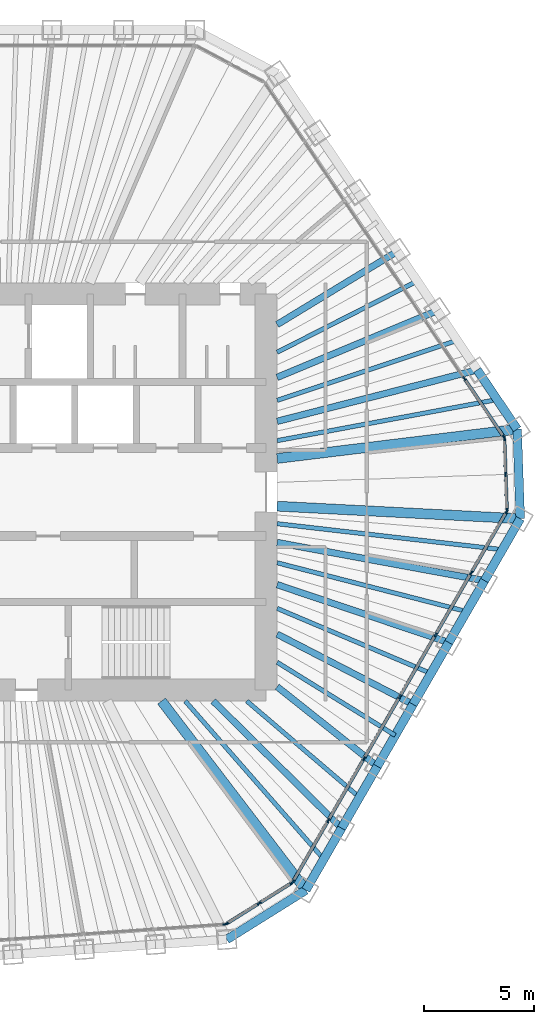
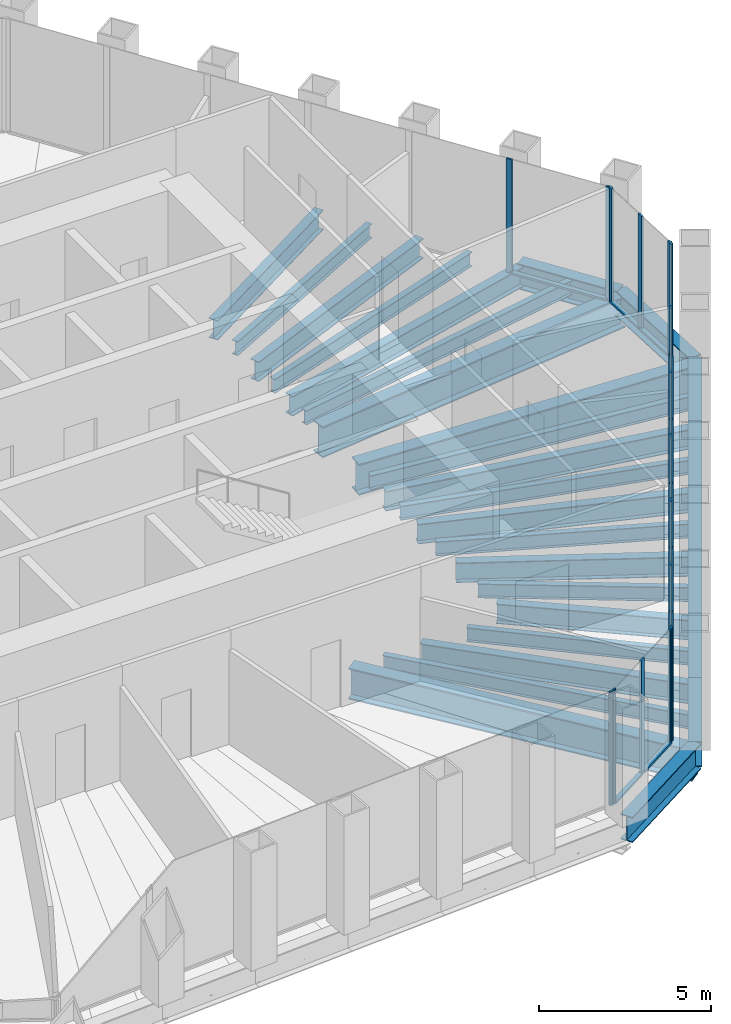
# One storey, part 5 of 14: 29 beams, 27 members, 5 elements without a shape of their own.
"""IFC4 building model written with IfcOpenShell, lengths in metres."""

import ifcopenshell
import ifcopenshell.guid

model = None  # the IFC model being written
_history = None  # IfcOwnerHistory: only IFC2X3 demands one
_inside = {}  # id of a spatial element -> (the spatial element, [elements in it])
_under = {}  # id of a project, library or spatial element -> (it, [spatial elements below it])
_declared = {}  # id of a project -> (the project, [libraries it declares])
_typed = {}  # id of a type object -> (the type object, [elements of that type])
_made_of = {}  # id of a material, layer set ... -> (it, [elements and type objects made of it])


def new_model(schema):
    """Start an empty IFC model of exactly this schema.

    Asked for "IFC4X3", IfcOpenShell would pick the latest addendum, in which some entities
    have other attributes; the version numbers below select the first issue.
    IFC2X3 requires an IfcOwnerHistory on every rooted entity: one is made here for all.
    """
    global model, _history
    if schema == "IFC4X3":
        model = ifcopenshell.file(schema_version=(4, 3, 0, 0))
    else:
        model = ifcopenshell.file(schema=schema)
    _inside.clear()
    _under.clear()
    _declared.clear()
    _typed.clear()
    _made_of.clear()
    _history = None
    if model.schema == "IFC2X3":
        org = make("IfcOrganization", Name="unknown")
        user = make(
            "IfcPersonAndOrganization",
            ThePerson=make("IfcPerson", FamilyName="unknown"),
            TheOrganization=org,
        )
        app = make(
            "IfcApplication",
            ApplicationDeveloper=org,
            Version="unknown",
            ApplicationFullName="unknown",
            ApplicationIdentifier="unknown",
        )
        _history = make(
            "IfcOwnerHistory",
            OwningUser=user,
            OwningApplication=app,
            ChangeAction="ADDED",
            CreationDate=0,
        )
    return model


def make(cls, **values):
    """One entity of the class cls with the attributes given. An attribute that is None is left unset."""
    return model.create_entity(
        cls, **{name: value for name, value in values.items() if value is not None}
    )


def rooted(cls, **values):
    """An entity with a GlobalId (a new one), such as an element, a storey or a relation."""
    return make(cls, GlobalId=ifcopenshell.guid.new(), OwnerHistory=_history, **values)


def si_unit(unit_type, name, prefix=None):
    """IfcSIUnit, for example si_unit("LENGTHUNIT", "METRE", prefix="MILLI")."""
    return make("IfcSIUnit", UnitType=unit_type, Prefix=prefix, Name=name)


def assignment(units):
    """IfcUnitAssignment: the units of a project."""
    return None if units is None else make("IfcUnitAssignment", Units=units)


def point(xyz):
    """IfcCartesianPoint."""
    return None if xyz is None else make("IfcCartesianPoint", Coordinates=xyz)


def direction(xyz):
    """IfcDirection."""
    return None if xyz is None else make("IfcDirection", DirectionRatios=xyz)


def frame(location, z_axis=None, x_axis=None):
    """IfcAxis2Placement3D, a coordinate frame: its origin and axes. An axis left out is left unset."""
    return make(
        "IfcAxis2Placement3D",
        Location=point(location),
        Axis=direction(z_axis),
        RefDirection=direction(x_axis),
    )


def frame_2d(location, x_axis=None):
    """IfcAxis2Placement2D, a coordinate frame in the plane: its origin and x axis."""
    return make(
        "IfcAxis2Placement2D", Location=point(location), RefDirection=direction(x_axis)
    )


def origin():
    """The frame at (0, 0, 0) with its axes left unset."""
    return frame((0.0, 0.0, 0.0))


def origin_2d():
    """The frame at (0, 0) in the plane with its x axis left unset."""
    return frame_2d((0.0, 0.0))


def place(relative_to, where):
    """IfcLocalPlacement: puts the frame where relative to a parent placement (None: the world)."""
    return make(
        "IfcLocalPlacement", PlacementRelTo=relative_to, RelativePlacement=where
    )


def context(
    kind, dimensions, precision=None, world=None, true_north=None, identifier=None
):
    """IfcGeometricRepresentationContext, for example the 3D "Model" context."""
    return make(
        "IfcGeometricRepresentationContext",
        ContextIdentifier=identifier,
        ContextType=kind,
        CoordinateSpaceDimension=dimensions,
        Precision=precision,
        WorldCoordinateSystem=world,
        TrueNorth=true_north,
    )


def subcontext(parent, identifier, kind, view, scale=None):
    """IfcGeometricRepresentationSubContext, for example "Body" below "Model"."""
    return make(
        "IfcGeometricRepresentationSubContext",
        ContextIdentifier=identifier,
        ContextType=kind,
        ParentContext=parent,
        TargetScale=scale,
        TargetView=view,
    )


def project(units=None, contexts=None):
    """IfcProject with its units and contexts."""
    return rooted(
        "IfcProject",
        Name="project",
        RepresentationContexts=contexts,
        UnitsInContext=assignment(units),
    )


def spatial(cls, under=None, at=None, **own):
    """A site, building, storey or space (cls), placed at a placement, below another one or the project."""
    s = rooted(cls, ObjectPlacement=at, **own)
    if under is not None:
        _under.setdefault(under.id(), (under, []))[1].append(s)
    return s


def profile(cls, at=None, kind="AREA", **sizes):
    """A parametric profile (cls). Its sizes go by their IFC names, for example OverallWidth=200.0."""
    return make(cls, ProfileType=kind, Position=at, **sizes)


def rectangle(**sizes):
    """IfcRectangleProfileDef."""
    return profile("IfcRectangleProfileDef", **sizes)


def i_section(**sizes):
    """IfcIShapeProfileDef."""
    return profile("IfcIShapeProfileDef", **sizes)


def extrude(swept, where, along, depth):
    """IfcExtrudedAreaSolid: the profile swept, set in the frame where, extruded along a direction by depth."""
    return make(
        "IfcExtrudedAreaSolid",
        SweptArea=swept,
        Position=where,
        ExtrudedDirection=direction(along),
        Depth=depth,
    )


def shape(context_of_items, identifier, shape_type, items):
    """IfcShapeRepresentation: the items that make up one representation, for example the "Body"."""
    return make(
        "IfcShapeRepresentation",
        ContextOfItems=context_of_items,
        RepresentationIdentifier=identifier,
        RepresentationType=shape_type,
        Items=items,
    )


def material(Name=None, Category=None):
    """IfcMaterial."""
    return make("IfcMaterial", Name=Name, Category=Category)


def material_profile(
    of_material, cross_section, Name=None, Category=None, Priority=None
):
    """IfcMaterialProfile: a cross section and its material."""
    return make(
        "IfcMaterialProfile",
        Name=Name,
        Material=of_material,
        Profile=cross_section,
        Priority=Priority,
        Category=Category,
    )


def profile_set(profiles, Name=None, composite=None):
    """IfcMaterialProfileSet."""
    return make(
        "IfcMaterialProfileSet",
        Name=Name,
        MaterialProfiles=profiles,
        CompositeProfile=composite,
    )


def made_of(thing, what):
    """Note that an element or type object is made of a material, layer set ...; save() writes the relation."""
    if what is not None:
        _made_of.setdefault(what.id(), (what, []))[1].append(thing)
    return thing


def type_object(cls, material=None, **own):
    """A type object (cls), such as IfcWallType, which elements share."""
    return made_of(rooted(cls, **own), material)


def element(
    cls,
    number,
    at=None,
    inside=None,
    cuts=None,
    type_object=None,
    material=None,
    context=None,
    identifier="Body",
    shape_type=None,
    held_by="IfcProductDefinitionShape",
    body=None,
    shapes=None,
    **own,
):
    """One element of the class cls, such as IfcWall. Its Tag is "e" and its number.

    at: its placement. inside: the storey or other place that contains it. cuts: it is an
    opening in that element (IfcRelVoidsElement). A single representation is given by context,
    identifier, shape_type and body (its items); several are given by shapes. held_by: the class
    of the entity that holds the representations. save() writes the other relations.
    """
    e = rooted(cls, Tag="e%d" % number, ObjectPlacement=at, **own)
    if body is not None:
        shapes = [shape(context, identifier, shape_type, body)]
    if shapes is not None:
        e.Representation = make(held_by, Representations=shapes)
    if inside is not None:
        _inside.setdefault(inside.id(), (inside, []))[1].append(e)
    if cuts is not None:
        rooted(
            "IfcRelVoidsElement", RelatingBuildingElement=cuts, RelatedOpeningElement=e
        )
    if type_object is not None:
        _typed.setdefault(type_object.id(), (type_object, []))[1].append(e)
    return made_of(e, material)


def aggregate(whole, parts):
    """IfcRelAggregates: a whole, such as a stair, and the parts it consists of."""
    return rooted("IfcRelAggregates", RelatingObject=whole, RelatedObjects=parts)


def save(model, path):
    """Write the relations noted so far, then the file.

    IfcRelAggregates (storeys below a building ...), IfcRelContainedInSpatialStructure (elements
    in a storey), IfcRelDefinesByType, IfcRelAssociatesMaterial and IfcRelDeclares: one each for
    every whole, place, type object, material and project.
    """
    for whole, parts in _under.values():
        aggregate(whole, parts)
    for where, things in _inside.values():
        rooted(
            "IfcRelContainedInSpatialStructure",
            RelatedElements=things,
            RelatingStructure=where,
        )
    for kind, things in _typed.values():
        rooted("IfcRelDefinesByType", RelatedObjects=things, RelatingType=kind)
    for what, things in _made_of.values():
        rooted("IfcRelAssociatesMaterial", RelatedObjects=things, RelatingMaterial=what)
    for by, libraries in _declared.values():
        rooted("IfcRelDeclares", RelatingContext=by, RelatedDefinitions=libraries)
    model.write(path)


model = new_model("IFC4")

# Units and contexts
model_context = context("Model", 3, precision=1e-05, world=origin(), true_north=direction((0.0, 1.0)))
body_context = subcontext(model_context, "Body", "Model", "MODEL_VIEW")
ifc_project = project(units=[si_unit("LENGTHUNIT", "METRE"), si_unit("AREAUNIT", "SQUARE_METRE"), si_unit("VOLUMEUNIT", "CUBIC_METRE"), si_unit("PLANEANGLEUNIT", "RADIAN"), si_unit("MASSUNIT", "GRAM", prefix="KILO")], contexts=[model_context])

# Site, building, storey
site_placement = place(None, origin())
site = spatial("IfcSite", under=ifc_project, at=site_placement, CompositionType="ELEMENT")
building_placement = place(site_placement, origin())
building = spatial("IfcBuilding", under=site, at=building_placement, Name="Qingtian Harvest Tower", CompositionType="ELEMENT")
storey_placement = place(building_placement, frame((0.0, 0.0, 283.0)))
storey = spatial("IfcBuildingStorey", under=building, at=storey_placement, Name="L62", CompositionType="ELEMENT", Elevation=283.0)

# Beams
ifc_material_1 = material(Name="Steel SM570MC", Category="steel")
ifc_material_profile_1 = material_profile(ifc_material_1, i_section(OverallWidth=0.449951171875, OverallDepth=1.10009765625, WebThickness=0.02197265625, FlangeThickness=0.044921875, at=origin_2d()), Name="H1100x450x22x45")
ifc_profile_set_1 = profile_set([ifc_material_profile_1], Name="Steel SM570MC")
beam_type_1 = type_object("IfcBeamType", Name="Corner floor beam FB8 H1100x450x22x45", PredefinedType="BEAM", material=ifc_profile_set_1)
beam_1_placement = place(storey_placement, frame((23.405517578125, 2.85400390625, -0.719970703125), z_axis=(-0.99264704984, -0.12104476215, 0.0), x_axis=(0.12104476215, -0.99264704984, 0.0)))
element("IfcBeam", 1, at=beam_1_placement, inside=storey, type_object=beam_type_1, Name="Floor beam FB8 NE6", PredefinedType="BEAM", context=body_context, shape_type="SweptSolid", body=[
    extrude(i_section(OverallWidth=0.449951171875, OverallDepth=1.10009765625, WebThickness=0.02197265625, FlangeThickness=0.044921875, at=origin_2d()), origin(), (0.0, 0.0, 1.0), 10.986328125),
])
beam_2_placement = place(storey_placement, frame((23.547607421875, -1.21435546875, -0.719970703125), z_axis=(-0.998672453152, 0.051510497131, 0.0), x_axis=(-0.051510497131, -0.998672453152, 0.0)))
element("IfcBeam", 2, at=beam_2_placement, inside=storey, type_object=beam_type_1, Name="Floor beam FB8 SE0", PredefinedType="BEAM", context=body_context, shape_type="SweptSolid", body=[
    extrude(i_section(OverallWidth=0.449951171875, OverallDepth=1.10009765625, WebThickness=0.02197265625, FlangeThickness=0.044921875, at=origin_2d()), origin(), (0.0, 0.0, 1.0), 11.062255859375),
])
beam_3_placement = place(storey_placement, frame((13.803466796875, -18.091552734375, -0.719970703125), z_axis=(-0.60658352266, 0.795019767073, 0.0), x_axis=(-0.795019767073, -0.60658352266, 0.0)))
element("IfcBeam", 3, at=beam_3_placement, inside=storey, type_object=beam_type_1, Name="Floor beam FB8 SE6", PredefinedType="BEAM", context=body_context, shape_type="SweptSolid", body=[
    extrude(i_section(OverallWidth=0.449951171875, OverallDepth=1.10009765625, WebThickness=0.02197265625, FlangeThickness=0.044921875, at=origin_2d()), origin(), (0.0, 0.0, 1.0), 10.806640625),
])
ifc_material_2 = material(Name="Steel SN490B", Category="steel")
ifc_material_profile_2 = material_profile(ifc_material_2, i_section(OverallWidth=0.300048828125, OverallDepth=0.699951171875, WebThickness=0.012939453125, FlangeThickness=0.02392578125, at=origin_2d()), Name="H700x300x13x24")
ifc_profile_set_2 = profile_set([ifc_material_profile_2], Name="Steel SN490B")
beam_type_2 = type_object("IfcBeamType", Name="Floor beam FB4 H700x300x13x24", PredefinedType="BEAM", material=ifc_profile_set_2)
beam_4_placement = place(storey_placement, frame((17.956787109375, 10.93212890625, -0.52001953125), z_axis=(-0.854163869478, -0.520003926983, 0.0), x_axis=(0.520003926983, -0.854163869478, 0.0)))
element("IfcBeam", 4, at=beam_4_placement, inside=storey, type_object=beam_type_2, Name="Floor beam FB4 NE3", PredefinedType="BEAM", context=body_context, shape_type="SweptSolid", body=[
    extrude(i_section(OverallWidth=0.300048828125, OverallDepth=0.699951171875, WebThickness=0.012939453125, FlangeThickness=0.02392578125, at=origin_2d()), origin(), (0.0, 0.0, 1.0), 6.388427734375),
])
beam_5_placement = place(storey_placement, frame((19.77294921875, 8.2392578125, -0.52001953125), z_axis=(-0.923071422518, -0.38462858569, 0.0), x_axis=(0.38462858569, -0.923071422518, 0.0)))
element("IfcBeam", 5, at=beam_5_placement, inside=storey, type_object=beam_type_2, Name="Floor beam FB4 NE4", PredefinedType="BEAM", context=body_context, shape_type="SweptSolid", body=[
    extrude(i_section(OverallWidth=0.300048828125, OverallDepth=0.699951171875, WebThickness=0.012939453125, FlangeThickness=0.02392578125, at=origin_2d()), origin(), (0.0, 0.0, 1.0), 7.879150390625),
])
beam_6_placement = place(storey_placement, frame((21.58935546875, 5.546630859375, -0.52001953125), z_axis=(-0.968545797703, -0.248835362746, 0.0), x_axis=(0.248835362746, -0.968545797703, 0.0)))
element("IfcBeam", 6, at=beam_6_placement, inside=storey, type_object=beam_type_2, Name="Floor beam FB4 NE5", PredefinedType="BEAM", context=body_context, shape_type="SweptSolid", body=[
    extrude(i_section(OverallWidth=0.300048828125, OverallDepth=0.699951171875, WebThickness=0.012939453125, FlangeThickness=0.02392578125, at=origin_2d()), origin(), (0.0, 0.0, 1.0), 9.384521484375),
])
beam_7_placement = place(storey_placement, frame((21.923583984375, -4.027099609375, -0.52001953125), z_axis=(-0.983545410638, 0.180661078303, 0.0), x_axis=(-0.180661078303, -0.983545410638, 0.0)))
element("IfcBeam", 7, at=beam_7_placement, inside=storey, type_object=beam_type_2, Name="Floor beam FB4 SE1", PredefinedType="BEAM", context=body_context, shape_type="SweptSolid", body=[
    extrude(i_section(OverallWidth=0.300048828125, OverallDepth=0.699951171875, WebThickness=0.012939453125, FlangeThickness=0.02392578125, at=origin_2d()), origin(), (0.0, 0.0, 1.0), 9.581298828125),
])
beam_8_placement = place(storey_placement, frame((20.299560546875, -6.840087890625, -0.52001953125), z_axis=(-0.947645968799, 0.319322905253, 0.0), x_axis=(-0.319322905253, -0.947645968799, 0.0)))
element("IfcBeam", 8, at=beam_8_placement, inside=storey, type_object=beam_type_2, Name="Floor beam FB4 SE2", PredefinedType="BEAM", context=body_context, shape_type="SweptSolid", body=[
    extrude(i_section(OverallWidth=0.300048828125, OverallDepth=0.699951171875, WebThickness=0.012939453125, FlangeThickness=0.02392578125, at=origin_2d()), origin(), (0.0, 0.0, 1.0), 8.23046875),
])
beam_9_placement = place(storey_placement, frame((18.675537109375, -9.65283203125, -0.52001953125), z_axis=(-0.888355479692, 0.459156336884, 0.0), x_axis=(-0.459156336884, -0.888355479692, 0.0)))
element("IfcBeam", 9, at=beam_9_placement, inside=storey, type_object=beam_type_2, Name="Floor beam FB4 SE3", PredefinedType="BEAM", context=body_context, shape_type="SweptSolid", body=[
    extrude(i_section(OverallWidth=0.300048828125, OverallDepth=0.699951171875, WebThickness=0.012939453125, FlangeThickness=0.02392578125, at=origin_2d()), origin(), (0.0, 0.0, 1.0), 6.95166015625),
])
beam_10_placement = place(storey_placement, frame((17.051513671875, -12.4658203125, -0.52001953125), z_axis=(-0.783003151269, 0.622017736968, 0.0), x_axis=(-0.622017736968, -0.783003151269, 0.0)))
element("IfcBeam", 10, at=beam_10_placement, inside=storey, type_object=beam_type_2, Name="Floor beam FB4 SE4", PredefinedType="BEAM", context=body_context, shape_type="SweptSolid", body=[
    extrude(i_section(OverallWidth=0.300048828125, OverallDepth=0.699951171875, WebThickness=0.012939453125, FlangeThickness=0.02392578125, at=origin_2d()), origin(), (0.0, 0.0, 1.0), 5.81298828125),
])
beam_11_placement = place(storey_placement, frame((15.427490234375, -15.278564453125, -0.52001953125), z_axis=(-0.710532187344, 0.703664700513, 0.0), x_axis=(-0.703664700513, -0.710532187344, 0.0)))
element("IfcBeam", 11, at=beam_11_placement, inside=storey, type_object=beam_type_2, Name="Floor beam FB4 SE5", PredefinedType="BEAM", context=body_context, shape_type="SweptSolid", body=[
    extrude(i_section(OverallWidth=0.300048828125, OverallDepth=0.699951171875, WebThickness=0.012939453125, FlangeThickness=0.02392578125, at=origin_2d()), origin(), (0.0, 0.0, 1.0), 8.212158203125),
])
ifc_material_3 = material(Name="Steel SN490B", Category="steel")
ifc_material_profile_3 = material_profile(ifc_material_3, i_section(OverallWidth=0.199951171875, OverallDepth=0.5, WebThickness=0.010009765625, FlangeThickness=0.01611328125, at=origin_2d()), Name="H500x200x10x16")
ifc_profile_set_3 = profile_set([ifc_material_profile_3], Name="Steel SN490B")
beam_type_3 = type_object("IfcBeamType", Name="Floor joist J3 H500x200x10x16", PredefinedType="JOIST", material=ifc_profile_set_3)
beam_12_placement = place(storey_placement, frame((18.864990234375, 9.585693359375, -0.419921875), z_axis=(-0.891515522375, -0.452990147094, 0.0), x_axis=(0.452990147094, -0.891515522375, 0.0)))
element("IfcBeam", 12, at=beam_12_placement, inside=storey, type_object=beam_type_3, Name="Floor joist J3 NE3", PredefinedType="JOIST", context=body_context, shape_type="SweptSolid", body=[
    extrude(i_section(OverallWidth=0.199951171875, OverallDepth=0.5, WebThickness=0.010009765625, FlangeThickness=0.01611328125, at=origin_2d()), origin(), (0.0, 0.0, 1.0), 7.139404296875),
])
beam_13_placement = place(storey_placement, frame((20.68115234375, 6.89306640625, -0.419921875), z_axis=(-0.94869179092, -0.316202286267, 0.0), x_axis=(0.316202286267, -0.94869179092, 0.0)))
element("IfcBeam", 13, at=beam_13_placement, inside=storey, type_object=beam_type_3, Name="Floor joist J3 NE4", PredefinedType="JOIST", context=body_context, shape_type="SweptSolid", body=[
    extrude(i_section(OverallWidth=0.199951171875, OverallDepth=0.5, WebThickness=0.010009765625, FlangeThickness=0.01611328125, at=origin_2d()), origin(), (0.0, 0.0, 1.0), 8.62353515625),
])
beam_14_placement = place(storey_placement, frame((22.49755859375, 4.2001953125, -0.419921875), z_axis=(-0.983015918388, -0.183520310038, 0.0), x_axis=(0.183520310038, -0.983015918388, 0.0)))
element("IfcBeam", 14, at=beam_14_placement, inside=storey, type_object=beam_type_3, Name="Floor joist J3 NE5", PredefinedType="JOIST", context=body_context, shape_type="SweptSolid", body=[
    extrude(i_section(OverallWidth=0.199951171875, OverallDepth=0.5, WebThickness=0.010009765625, FlangeThickness=0.01611328125, at=origin_2d()), origin(), (0.0, 0.0, 1.0), 10.17041015625),
])
beam_15_placement = place(storey_placement, frame((22.735595703125, -2.62060546875, -0.419921875), z_axis=(-0.993423767351, 0.114495495381, 0.0), x_axis=(-0.114495495381, -0.993423767351, 0.0)))
element("IfcBeam", 15, at=beam_15_placement, inside=storey, type_object=beam_type_3, Name="Floor joist J3 SE0", PredefinedType="JOIST", context=body_context, shape_type="SweptSolid", body=[
    extrude(i_section(OverallWidth=0.199951171875, OverallDepth=0.5, WebThickness=0.010009765625, FlangeThickness=0.01611328125, at=origin_2d()), origin(), (0.0, 0.0, 1.0), 10.303466796875),
])
beam_16_placement = place(storey_placement, frame((21.111572265625, -5.43359375, -0.419921875), z_axis=(-0.968434631662, 0.249267655738, 0.0), x_axis=(-0.249267655738, -0.968434631662, 0.0)))
element("IfcBeam", 16, at=beam_16_placement, inside=storey, type_object=beam_type_3, Name="Floor joist J3 SE1", PredefinedType="JOIST", context=body_context, shape_type="SweptSolid", body=[
    extrude(i_section(OverallWidth=0.199951171875, OverallDepth=0.5, WebThickness=0.010009765625, FlangeThickness=0.01611328125, at=origin_2d()), origin(), (0.0, 0.0, 1.0), 8.892333984375),
])
beam_17_placement = place(storey_placement, frame((19.487548828125, -8.246337890625, -0.419921875), z_axis=(-0.920942823677, 0.389697723265, 0.0), x_axis=(-0.389697723265, -0.920942823677, 0.0)))
element("IfcBeam", 17, at=beam_17_placement, inside=storey, type_object=beam_type_3, Name="Floor joist J3 SE2", PredefinedType="JOIST", context=body_context, shape_type="SweptSolid", body=[
    extrude(i_section(OverallWidth=0.199951171875, OverallDepth=0.5, WebThickness=0.010009765625, FlangeThickness=0.01611328125, at=origin_2d()), origin(), (0.0, 0.0, 1.0), 7.58740234375),
])
beam_18_placement = place(storey_placement, frame((17.863525390625, -11.059326171875, -0.419921875), z_axis=(-0.850245350939, 0.52638659102, 0.0), x_axis=(-0.52638659102, -0.850245350939, 0.0)))
element("IfcBeam", 18, at=beam_18_placement, inside=storey, type_object=beam_type_3, Name="Floor joist J3 SE3", PredefinedType="JOIST", context=body_context, shape_type="SweptSolid", body=[
    extrude(i_section(OverallWidth=0.199951171875, OverallDepth=0.5, WebThickness=0.010009765625, FlangeThickness=0.01611328125, at=origin_2d()), origin(), (0.0, 0.0, 1.0), 6.30810546875),
])
beam_19_placement = place(storey_placement, frame((16.239501953125, -13.8720703125, -0.419921875), z_axis=(-0.760351288112, 0.649512061987, 0.0), x_axis=(-0.649512061987, -0.760351288112, 0.0)))
element("IfcBeam", 19, at=beam_19_placement, inside=storey, type_object=beam_type_3, Name="Floor joist J3 SE4", PredefinedType="JOIST", context=body_context, shape_type="SweptSolid", body=[
    extrude(i_section(OverallWidth=0.199951171875, OverallDepth=0.5, WebThickness=0.010009765625, FlangeThickness=0.01611328125, at=origin_2d()), origin(), (0.0, 0.0, 1.0), 6.731201171875),
])
beam_20_placement = place(storey_placement, frame((14.615478515625, -16.68505859375, -0.419921875), z_axis=(-0.658906232771, 0.752225083612, 0.0), x_axis=(-0.752225083612, -0.658906232771, 0.0)))
element("IfcBeam", 20, at=beam_20_placement, inside=storey, type_object=beam_type_3, Name="Floor joist J3 SE5", PredefinedType="JOIST", context=body_context, shape_type="SweptSolid", body=[
    extrude(i_section(OverallWidth=0.199951171875, OverallDepth=0.5, WebThickness=0.010009765625, FlangeThickness=0.01611328125, at=origin_2d()), origin(), (0.0, 0.0, 1.0), 9.5517578125),
])

# Curtain wall, members
ifc_material_4 = material(Name="Bronze-anodised aluminium curtain wall", Category="aluminium")
curtain_wall_type = type_object("IfcCurtainWallType", Name="Curtain wall CW5 upper office", PredefinedType="USERDEFINED", material=ifc_material_4)
curtain_wall_1_placement = place(storey_placement, origin())
curtain_wall_1 = element("IfcCurtainWall", 21, at=curtain_wall_1_placement, inside=storey, type_object=curtain_wall_type, Name="Curtain wall CW5 L62 NE0-5", ObjectType="RECESSED CURTAIN WALL", PredefinedType="USERDEFINED")
ifc_material_5 = material(Name="Bronze-anodised aluminium mullion", Category="aluminium")
ifc_material_profile_4 = material_profile(ifc_material_5, rectangle(XDim=0.06494140625, YDim=0.199951171875, at=origin_2d()), Name="AL 65x200")
ifc_profile_set_4 = profile_set([ifc_material_profile_4], Name="Bronze-anodised aluminium mullion")
member_type_1 = type_object("IfcMemberType", Name="Mullion CWM 65x200", PredefinedType="MULLION", material=ifc_profile_set_4)
member_1_placement = place(storey_placement, frame((21.009033203125, 5.1552734375, 0.0), z_axis=(0.0, 0.0, 1.0), x_axis=(0.829037572555, 0.559192903471, 0.0)))
member_1 = element("IfcMember", 22, at=member_1_placement, type_object=member_type_1, Name="CW5 mullion 6", PredefinedType="MULLION", context=body_context, shape_type="SweptSolid", body=[
    extrude(rectangle(XDim=0.06494140625, YDim=0.199951171875, at=origin_2d()), origin(), (0.0, 0.0, 1.0), 4.030029296875),
])
member_2_placement = place(storey_placement, frame((22.80712890625, 2.489501953125, 0.0), z_axis=(0.0, 0.0, 1.0), x_axis=(0.829037572555, 0.559192903471, 0.0)))
member_2 = element("IfcMember", 23, at=member_2_placement, type_object=member_type_1, Name="CW5 mullion 7", PredefinedType="MULLION", context=body_context, shape_type="SweptSolid", body=[
    extrude(rectangle(XDim=0.06494140625, YDim=0.199951171875, at=origin_2d()), origin(), (0.0, 0.0, 1.0), 4.030029296875),
])

curtain_wall_2_placement = place(storey_placement, origin())
curtain_wall_2 = element("IfcCurtainWall", 24, at=curtain_wall_2_placement, inside=storey, type_object=curtain_wall_type, Name="Curtain wall CW5 L62 NEC", ObjectType="RECESSED CURTAIN WALL", PredefinedType="USERDEFINED")
member_3_placement = place(storey_placement, frame((22.826416015625, 2.429931640625, 0.0), z_axis=(0.0, 0.0, 1.0), x_axis=(0.999390827019, 0.034899496703, 0.0)))
member_3 = element("IfcMember", 25, at=member_3_placement, type_object=member_type_1, Name="CW5 mullion 1", PredefinedType="MULLION", context=body_context, shape_type="SweptSolid", body=[
    extrude(rectangle(XDim=0.06494140625, YDim=0.199951171875, at=origin_2d()), origin(), (0.0, 0.0, 1.0), 4.030029296875),
])
member_4_placement = place(storey_placement, frame((22.88330078125, 0.799072265625, 0.0), z_axis=(0.0, 0.0, 1.0), x_axis=(0.999390827019, 0.034899496703, 0.0)))
member_4 = element("IfcMember", 26, at=member_4_placement, type_object=member_type_1, Name="CW5 mullion 2", PredefinedType="MULLION", context=body_context, shape_type="SweptSolid", body=[
    extrude(rectangle(XDim=0.06494140625, YDim=0.199951171875, at=origin_2d()), origin(), (0.0, 0.0, 1.0), 4.030029296875),
])
member_5_placement = place(storey_placement, frame((22.9404296875, -0.831787109375, 0.0), z_axis=(0.0, 0.0, 1.0), x_axis=(0.999390827019, 0.034899496703, 0.0)))
member_5 = element("IfcMember", 27, at=member_5_placement, type_object=member_type_1, Name="CW5 mullion 3", PredefinedType="MULLION", context=body_context, shape_type="SweptSolid", body=[
    extrude(rectangle(XDim=0.06494140625, YDim=0.199951171875, at=origin_2d()), origin(), (0.0, 0.0, 1.0), 4.030029296875),
])

curtain_wall_3_placement = place(storey_placement, origin())
curtain_wall_3 = element("IfcCurtainWall", 28, at=curtain_wall_3_placement, inside=storey, type_object=curtain_wall_type, Name="Curtain wall CW5 L62 SE0-5", ObjectType="RECESSED CURTAIN WALL", PredefinedType="USERDEFINED")
member_6_placement = place(storey_placement, frame((22.92529296875, -0.892333984375, 0.0), z_axis=(0.0, 0.0, 1.0), x_axis=(0.866025403784, -0.5, 0.0)))
member_6 = element("IfcMember", 29, at=member_6_placement, type_object=member_type_1, Name="CW5 mullion 1", PredefinedType="MULLION", context=body_context, shape_type="SweptSolid", body=[
    extrude(rectangle(XDim=0.06494140625, YDim=0.199951171875, at=origin_2d()), origin(), (0.0, 0.0, 1.0), 4.030029296875),
])
member_7_placement = place(storey_placement, frame((21.3173828125, -3.67724609375, 0.0), z_axis=(0.0, 0.0, 1.0), x_axis=(0.866025403784, -0.5, 0.0)))
member_7 = element("IfcMember", 30, at=member_7_placement, type_object=member_type_1, Name="CW5 mullion 2", PredefinedType="MULLION", context=body_context, shape_type="SweptSolid", body=[
    extrude(rectangle(XDim=0.06494140625, YDim=0.199951171875, at=origin_2d()), origin(), (0.0, 0.0, 1.0), 4.030029296875),
])
member_8_placement = place(storey_placement, frame((19.693359375, -6.489990234375, 0.0), z_axis=(0.0, 0.0, 1.0), x_axis=(0.866025403784, -0.5, 0.0)))
member_8 = element("IfcMember", 31, at=member_8_placement, type_object=member_type_1, Name="CW5 mullion 3", PredefinedType="MULLION", context=body_context, shape_type="SweptSolid", body=[
    extrude(rectangle(XDim=0.06494140625, YDim=0.199951171875, at=origin_2d()), origin(), (0.0, 0.0, 1.0), 4.030029296875),
])
member_9_placement = place(storey_placement, frame((18.0693359375, -9.302978515625, 0.0), z_axis=(0.0, 0.0, 1.0), x_axis=(0.866025403784, -0.5, 0.0)))
member_9 = element("IfcMember", 32, at=member_9_placement, type_object=member_type_1, Name="CW5 mullion 4", PredefinedType="MULLION", context=body_context, shape_type="SweptSolid", body=[
    extrude(rectangle(XDim=0.06494140625, YDim=0.199951171875, at=origin_2d()), origin(), (0.0, 0.0, 1.0), 4.030029296875),
])
member_10_placement = place(storey_placement, frame((16.4453125, -12.11572265625, 0.0), z_axis=(0.0, 0.0, 1.0), x_axis=(0.866025403784, -0.5, 0.0)))
member_10 = element("IfcMember", 33, at=member_10_placement, type_object=member_type_1, Name="CW5 mullion 5", PredefinedType="MULLION", context=body_context, shape_type="SweptSolid", body=[
    extrude(rectangle(XDim=0.06494140625, YDim=0.199951171875, at=origin_2d()), origin(), (0.0, 0.0, 1.0), 4.030029296875),
])
member_11_placement = place(storey_placement, frame((14.8212890625, -14.9287109375, 0.0), z_axis=(0.0, 0.0, 1.0), x_axis=(0.866025403784, -0.5, 0.0)))
member_11 = element("IfcMember", 34, at=member_11_placement, type_object=member_type_1, Name="CW5 mullion 6", PredefinedType="MULLION", context=body_context, shape_type="SweptSolid", body=[
    extrude(rectangle(XDim=0.06494140625, YDim=0.199951171875, at=origin_2d()), origin(), (0.0, 0.0, 1.0), 4.030029296875),
])
member_12_placement = place(storey_placement, frame((13.213623046875, -17.71337890625, 0.0), z_axis=(0.0, 0.0, 1.0), x_axis=(0.866025403784, -0.5, 0.0)))
member_12 = element("IfcMember", 35, at=member_12_placement, type_object=member_type_1, Name="CW5 mullion 7", PredefinedType="MULLION", context=body_context, shape_type="SweptSolid", body=[
    extrude(rectangle(XDim=0.06494140625, YDim=0.199951171875, at=origin_2d()), origin(), (0.0, 0.0, 1.0), 4.030029296875),
])

curtain_wall_4_placement = place(storey_placement, origin())
curtain_wall_4 = element("IfcCurtainWall", 36, at=curtain_wall_4_placement, inside=storey, type_object=curtain_wall_type, Name="Curtain wall CW5 L62 SEC", ObjectType="RECESSED CURTAIN WALL", PredefinedType="USERDEFINED")
member_13_placement = place(storey_placement, frame((13.169921875, -17.7587890625, 0.0), z_axis=(0.0, 0.0, 1.0), x_axis=(0.529919264233, -0.848048096156, 0.0)))
member_13 = element("IfcMember", 37, at=member_13_placement, type_object=member_type_1, Name="CW5 mullion 1", PredefinedType="MULLION", context=body_context, shape_type="SweptSolid", body=[
    extrude(rectangle(XDim=0.06494140625, YDim=0.199951171875, at=origin_2d()), origin(), (0.0, 0.0, 1.0), 4.030029296875),
])
member_14_placement = place(storey_placement, frame((11.678955078125, -18.690185546875, 0.0), z_axis=(0.0, 0.0, 1.0), x_axis=(0.529919264233, -0.848048096156, 0.0)))
member_14 = element("IfcMember", 38, at=member_14_placement, type_object=member_type_1, Name="CW5 mullion 2", PredefinedType="MULLION", context=body_context, shape_type="SweptSolid", body=[
    extrude(rectangle(XDim=0.06494140625, YDim=0.199951171875, at=origin_2d()), origin(), (0.0, 0.0, 1.0), 4.030029296875),
])
member_15_placement = place(storey_placement, frame((10.188232421875, -19.621826171875, 0.0), z_axis=(0.0, 0.0, 1.0), x_axis=(0.529919264233, -0.848048096156, 0.0)))
member_15 = element("IfcMember", 39, at=member_15_placement, type_object=member_type_1, Name="CW5 mullion 3", PredefinedType="MULLION", context=body_context, shape_type="SweptSolid", body=[
    extrude(rectangle(XDim=0.06494140625, YDim=0.199951171875, at=origin_2d()), origin(), (0.0, 0.0, 1.0), 4.030029296875),
])

# Curtain wall, member
curtain_wall_5_placement = place(storey_placement, origin())
curtain_wall_5 = element("IfcCurtainWall", 40, at=curtain_wall_5_placement, inside=storey, type_object=curtain_wall_type, Name="Curtain wall CW5 L62 S0-5", ObjectType="RECESSED CURTAIN WALL", PredefinedType="USERDEFINED")
member_16_placement = place(storey_placement, frame((10.128173828125, -19.641357421875, 0.0), z_axis=(0.0, 0.0, 1.0), x_axis=(0.069756473744, -0.99756405026, 0.0)))
member_16 = element("IfcMember", 41, at=member_16_placement, type_object=member_type_1, Name="CW5 mullion 1", PredefinedType="MULLION", context=body_context, shape_type="SweptSolid", body=[
    extrude(rectangle(XDim=0.06494140625, YDim=0.199951171875, at=origin_2d()), origin(), (0.0, 0.0, 1.0), 4.030029296875),
])
aggregate(curtain_wall_5, [member_16])

# Beams
ifc_material_6 = material(Name="Steel SN490B", Category="steel")
ifc_material_profile_5 = material_profile(ifc_material_6, i_section(OverallWidth=0.39990234375, OverallDepth=0.89990234375, WebThickness=0.01904296875, FlangeThickness=0.035888671875, at=origin_2d()), Name="H900x400x19x36")
ifc_profile_set_5 = profile_set([ifc_material_profile_5], Name="Steel SN490B")
beam_type_4 = type_object("IfcBeamType", Name="Spandrel beam SB4 H900x400x19x36", PredefinedType="SPANDREL", material=ifc_profile_set_5)
beam_21_placement = place(storey_placement, frame((21.58935546875, 5.546630859375, -0.449951171875), z_axis=(0.559184924833, -0.829042954158, 0.0), x_axis=(0.829042954158, 0.559184924833, 0.0)))
element("IfcBeam", 42, at=beam_21_placement, inside=storey, type_object=beam_type_4, Name="Spandrel SB4 NE5", PredefinedType="SPANDREL", context=body_context, shape_type="SweptSolid", body=[
    extrude(i_section(OverallWidth=0.39990234375, OverallDepth=0.89990234375, WebThickness=0.01904296875, FlangeThickness=0.035888671875, at=origin_2d()), origin(), (0.0, 0.0, 1.0), 3.247802734375),
])
beam_22_placement = place(storey_placement, frame((23.405517578125, 2.85400390625, -0.449951171875), z_axis=(0.034904306503, -0.999390659046, 0.0), x_axis=(0.999390659046, 0.034904306503, 0.0)))
element("IfcBeam", 43, at=beam_22_placement, inside=storey, type_object=beam_type_4, Name="Spandrel SB4 NEC", PredefinedType="SPANDREL", context=body_context, shape_type="SweptSolid", body=[
    extrude(i_section(OverallWidth=0.39990234375, OverallDepth=0.89990234375, WebThickness=0.01904296875, FlangeThickness=0.035888671875, at=origin_2d()), origin(), (0.0, 0.0, 1.0), 4.07080078125),
])
beam_23_placement = place(storey_placement, frame((23.547607421875, -1.21435546875, -0.449951171875), z_axis=(-0.500019593356, -0.866014091259, 0.0), x_axis=(0.866014091259, -0.500019593356, 0.0)))
element("IfcBeam", 44, at=beam_23_placement, inside=storey, type_object=beam_type_4, Name="Spandrel SB4 SE0", PredefinedType="SPANDREL", context=body_context, shape_type="SweptSolid", body=[
    extrude(i_section(OverallWidth=0.39990234375, OverallDepth=0.89990234375, WebThickness=0.01904296875, FlangeThickness=0.035888671875, at=origin_2d()), origin(), (0.0, 0.0, 1.0), 3.247802734375),
])
beam_24_placement = place(storey_placement, frame((21.923583984375, -4.027099609375, -0.449951171875), z_axis=(-0.499987045439, -0.866032882975, 0.0), x_axis=(0.866032882975, -0.499987045439, 0.0)))
element("IfcBeam", 45, at=beam_24_placement, inside=storey, type_object=beam_type_4, Name="Spandrel SB4 SE1", PredefinedType="SPANDREL", context=body_context, shape_type="SweptSolid", body=[
    extrude(i_section(OverallWidth=0.39990234375, OverallDepth=0.89990234375, WebThickness=0.01904296875, FlangeThickness=0.035888671875, at=origin_2d()), origin(), (0.0, 0.0, 1.0), 3.248046875),
])
beam_25_placement = place(storey_placement, frame((20.299560546875, -6.840087890625, -0.449951171875), z_axis=(-0.500019593356, -0.866014091259, 0.0), x_axis=(0.866014091259, -0.500019593356, 0.0)))
element("IfcBeam", 46, at=beam_25_placement, inside=storey, type_object=beam_type_4, Name="Spandrel SB4 SE2", PredefinedType="SPANDREL", context=body_context, shape_type="SweptSolid", body=[
    extrude(i_section(OverallWidth=0.39990234375, OverallDepth=0.89990234375, WebThickness=0.01904296875, FlangeThickness=0.035888671875, at=origin_2d()), origin(), (0.0, 0.0, 1.0), 3.247802734375),
])
beam_26_placement = place(storey_placement, frame((18.675537109375, -9.65283203125, -0.449951171875), z_axis=(-0.499987045439, -0.866032882975, 0.0), x_axis=(0.866032882975, -0.499987045439, 0.0)))
element("IfcBeam", 47, at=beam_26_placement, inside=storey, type_object=beam_type_4, Name="Spandrel SB4 SE3", PredefinedType="SPANDREL", context=body_context, shape_type="SweptSolid", body=[
    extrude(i_section(OverallWidth=0.39990234375, OverallDepth=0.89990234375, WebThickness=0.01904296875, FlangeThickness=0.035888671875, at=origin_2d()), origin(), (0.0, 0.0, 1.0), 3.248046875),
])
beam_27_placement = place(storey_placement, frame((17.051513671875, -12.4658203125, -0.449951171875), z_axis=(-0.500019593356, -0.866014091259, 0.0), x_axis=(0.866014091259, -0.500019593356, 0.0)))
element("IfcBeam", 48, at=beam_27_placement, inside=storey, type_object=beam_type_4, Name="Spandrel SB4 SE4", PredefinedType="SPANDREL", context=body_context, shape_type="SweptSolid", body=[
    extrude(i_section(OverallWidth=0.39990234375, OverallDepth=0.89990234375, WebThickness=0.01904296875, FlangeThickness=0.035888671875, at=origin_2d()), origin(), (0.0, 0.0, 1.0), 3.247802734375),
])
beam_28_placement = place(storey_placement, frame((15.427490234375, -15.278564453125, -0.449951171875), z_axis=(-0.499987045439, -0.866032882975, 0.0), x_axis=(0.866032882975, -0.499987045439, 0.0)))
element("IfcBeam", 49, at=beam_28_placement, inside=storey, type_object=beam_type_4, Name="Spandrel SB4 SE5", PredefinedType="SPANDREL", context=body_context, shape_type="SweptSolid", body=[
    extrude(i_section(OverallWidth=0.39990234375, OverallDepth=0.89990234375, WebThickness=0.01904296875, FlangeThickness=0.035888671875, at=origin_2d()), origin(), (0.0, 0.0, 1.0), 3.248046875),
])
beam_29_placement = place(storey_placement, frame((13.803466796875, -18.091552734375, -0.449951171875), z_axis=(-0.848040374245, -0.529931621675, 0.0), x_axis=(0.529931621675, -0.848040374245, 0.0)))
element("IfcBeam", 50, at=beam_29_placement, inside=storey, type_object=beam_type_4, Name="Spandrel SB4 SEC", PredefinedType="SPANDREL", context=body_context, shape_type="SweptSolid", body=[
    extrude(i_section(OverallWidth=0.39990234375, OverallDepth=0.89990234375, WebThickness=0.01904296875, FlangeThickness=0.035888671875, at=origin_2d()), origin(), (0.0, 0.0, 1.0), 4.238037109375),
])

# Member
ifc_material_7 = material(Name="Bronze-anodised aluminium transom", Category="aluminium")
ifc_material_profile_6 = material_profile(ifc_material_7, rectangle(XDim=0.14990234375, YDim=0.06494140625, at=origin_2d()), Name="AL 65x150")
ifc_profile_set_6 = profile_set([ifc_material_profile_6], Name="Bronze-anodised aluminium transom")
member_type_2 = type_object("IfcMemberType", Name="Transom CWT 65x150", PredefinedType="USERDEFINED", material=ifc_profile_set_6)
member_17_placement = place(storey_placement, frame((21.027099609375, 5.128173828125, 0.032470703125), z_axis=(0.559198649732, -0.829033696624, 0.0), x_axis=(0.829033696624, 0.559198649732, 0.0)))
member_17 = element("IfcMember", 51, at=member_17_placement, type_object=member_type_2, Name="CW5 transom 6.1", ObjectType="TRANSOM", PredefinedType="USERDEFINED", context=body_context, shape_type="SweptSolid", body=[
    extrude(rectangle(XDim=0.14990234375, YDim=0.06494140625, at=origin_2d()), origin(), (0.0, 0.0, 1.0), 3.150390625),
])

aggregate(curtain_wall_1, [member_1, member_2, member_17])

member_18_placement = place(storey_placement, frame((22.82763671875, 2.3974609375, 0.032470703125), z_axis=(0.034902326647, -0.999390728191, 0.0), x_axis=(0.999390728191, 0.034902326647, 0.0)))
member_18 = element("IfcMember", 52, at=member_18_placement, type_object=member_type_2, Name="CW5 transom 1.1", ObjectType="TRANSOM", PredefinedType="USERDEFINED", context=body_context, shape_type="SweptSolid", body=[
    extrude(rectangle(XDim=0.14990234375, YDim=0.06494140625, at=origin_2d()), origin(), (0.0, 0.0, 1.0), 1.56689453125),
])

member_19_placement = place(storey_placement, frame((22.884521484375, 0.7666015625, 0.032470703125), z_axis=(0.034902326647, -0.999390728191, 0.0), x_axis=(0.999390728191, 0.034902326647, 0.0)))
member_19 = element("IfcMember", 53, at=member_19_placement, type_object=member_type_2, Name="CW5 transom 2.1", ObjectType="TRANSOM", PredefinedType="USERDEFINED", context=body_context, shape_type="SweptSolid", body=[
    extrude(rectangle(XDim=0.14990234375, YDim=0.06494140625, at=origin_2d()), origin(), (0.0, 0.0, 1.0), 1.56689453125),
])

aggregate(curtain_wall_2, [member_3, member_4, member_5, member_18, member_19])

member_20_placement = place(storey_placement, frame((22.908935546875, -0.920654296875, 0.032470703125), z_axis=(-0.50000643655, -0.866021687608, 0.0), x_axis=(0.866021687608, -0.50000643655, 0.0)))
member_20 = element("IfcMember", 54, at=member_20_placement, type_object=member_type_2, Name="CW5 transom 1.1", ObjectType="TRANSOM", PredefinedType="USERDEFINED", context=body_context, shape_type="SweptSolid", body=[
    extrude(rectangle(XDim=0.14990234375, YDim=0.06494140625, at=origin_2d()), origin(), (0.0, 0.0, 1.0), 3.150390625),
])

member_21_placement = place(storey_placement, frame((21.30126953125, -3.705322265625, 0.032470703125), z_axis=(-0.5000079448, -0.866020816803, 0.0), x_axis=(0.866020816803, -0.5000079448, 0.0)))
member_21 = element("IfcMember", 55, at=member_21_placement, type_object=member_type_2, Name="CW5 transom 2.1", ObjectType="TRANSOM", PredefinedType="USERDEFINED", context=body_context, shape_type="SweptSolid", body=[
    extrude(rectangle(XDim=0.14990234375, YDim=0.06494140625, at=origin_2d()), origin(), (0.0, 0.0, 1.0), 3.18310546875),
])

member_22_placement = place(storey_placement, frame((19.67724609375, -6.51806640625, 0.032470703125), z_axis=(-0.5000079448, -0.866020816803, 0.0), x_axis=(0.866020816803, -0.5000079448, 0.0)))
member_22 = element("IfcMember", 56, at=member_22_placement, type_object=member_type_2, Name="CW5 transom 3.1", ObjectType="TRANSOM", PredefinedType="USERDEFINED", context=body_context, shape_type="SweptSolid", body=[
    extrude(rectangle(XDim=0.14990234375, YDim=0.06494140625, at=origin_2d()), origin(), (0.0, 0.0, 1.0), 3.18310546875),
])

member_23_placement = place(storey_placement, frame((18.05322265625, -9.3310546875, 0.032470703125), z_axis=(-0.5000079448, -0.866020816803, 0.0), x_axis=(0.866020816803, -0.5000079448, 0.0)))
member_23 = element("IfcMember", 57, at=member_23_placement, type_object=member_type_2, Name="CW5 transom 4.1", ObjectType="TRANSOM", PredefinedType="USERDEFINED", context=body_context, shape_type="SweptSolid", body=[
    extrude(rectangle(XDim=0.14990234375, YDim=0.06494140625, at=origin_2d()), origin(), (0.0, 0.0, 1.0), 3.18310546875),
])

member_24_placement = place(storey_placement, frame((16.42919921875, -12.143798828125, 0.032470703125), z_axis=(-0.5000079448, -0.866020816803, 0.0), x_axis=(0.866020816803, -0.5000079448, 0.0)))
member_24 = element("IfcMember", 58, at=member_24_placement, type_object=member_type_2, Name="CW5 transom 5.1", ObjectType="TRANSOM", PredefinedType="USERDEFINED", context=body_context, shape_type="SweptSolid", body=[
    extrude(rectangle(XDim=0.14990234375, YDim=0.06494140625, at=origin_2d()), origin(), (0.0, 0.0, 1.0), 3.18310546875),
])

member_25_placement = place(storey_placement, frame((14.80517578125, -14.956787109375, 0.032470703125), z_axis=(-0.499972881236, -0.866041060244, 0.0), x_axis=(0.866041060244, -0.499972881236, 0.0)))
member_25 = element("IfcMember", 59, at=member_25_placement, type_object=member_type_2, Name="CW5 transom 6.1", ObjectType="TRANSOM", PredefinedType="USERDEFINED", context=body_context, shape_type="SweptSolid", body=[
    extrude(rectangle(XDim=0.14990234375, YDim=0.06494140625, at=origin_2d()), origin(), (0.0, 0.0, 1.0), 3.150634765625),
])

aggregate(curtain_wall_3, [member_6, member_7, member_8, member_9, member_10, member_11, member_12, member_20, member_21, member_22, member_23, member_24, member_25])

member_26_placement = place(storey_placement, frame((13.142333984375, -17.77587890625, 0.032470703125), z_axis=(-0.84803880708, -0.529934129573, 0.0), x_axis=(0.529934129573, -0.84803880708, 0.0)))
member_26 = element("IfcMember", 60, at=member_26_placement, type_object=member_type_2, Name="CW5 transom 1.1", ObjectType="TRANSOM", PredefinedType="USERDEFINED", context=body_context, shape_type="SweptSolid", body=[
    extrude(rectangle(XDim=0.14990234375, YDim=0.06494140625, at=origin_2d()), origin(), (0.0, 0.0, 1.0), 1.693115234375),
])

member_27_placement = place(storey_placement, frame((11.6513671875, -18.70751953125, 0.032470703125), z_axis=(-0.847998304005, -0.529998940003, 0.0), x_axis=(0.529998940003, -0.847998304005, 0.0)))
member_27 = element("IfcMember", 61, at=member_27_placement, type_object=member_type_2, Name="CW5 transom 2.1", ObjectType="TRANSOM", PredefinedType="USERDEFINED", context=body_context, shape_type="SweptSolid", body=[
    extrude(rectangle(XDim=0.14990234375, YDim=0.06494140625, at=origin_2d()), origin(), (0.0, 0.0, 1.0), 1.69287109375),
])

aggregate(curtain_wall_4, [member_13, member_14, member_15, member_26, member_27])

save(model, "model.ifc")
